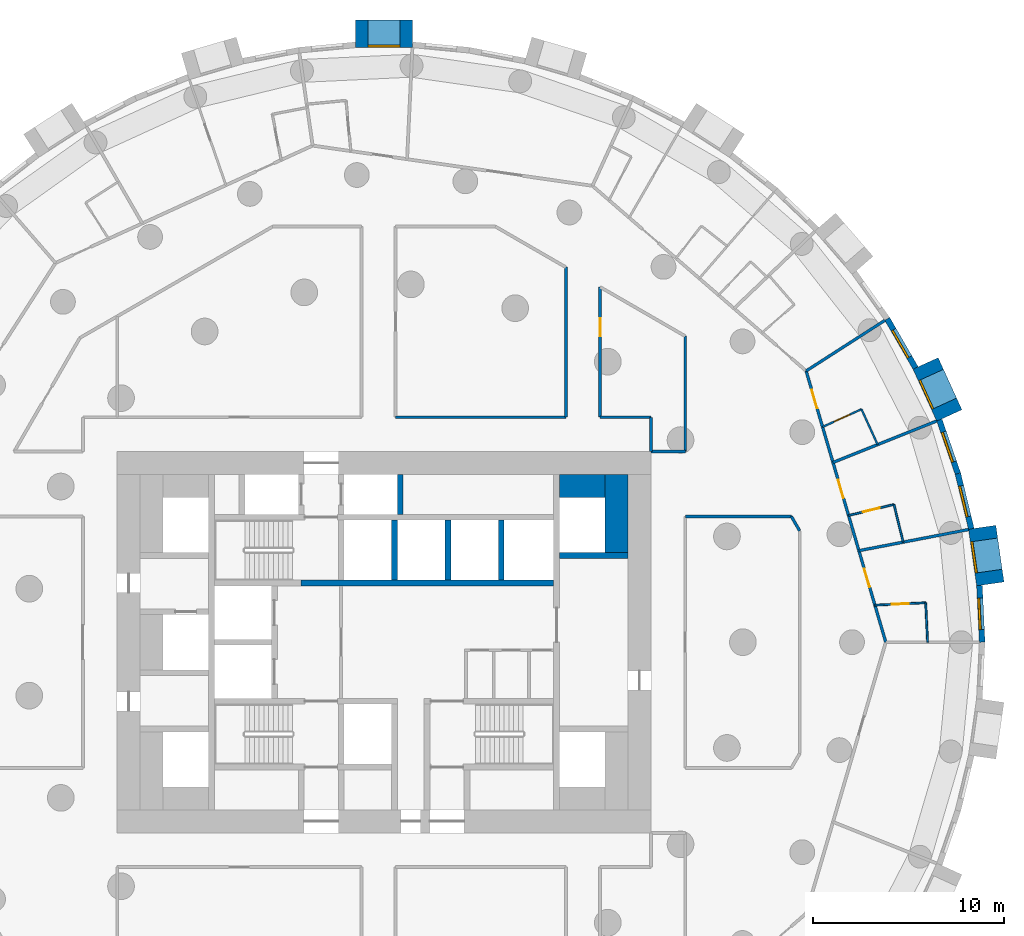
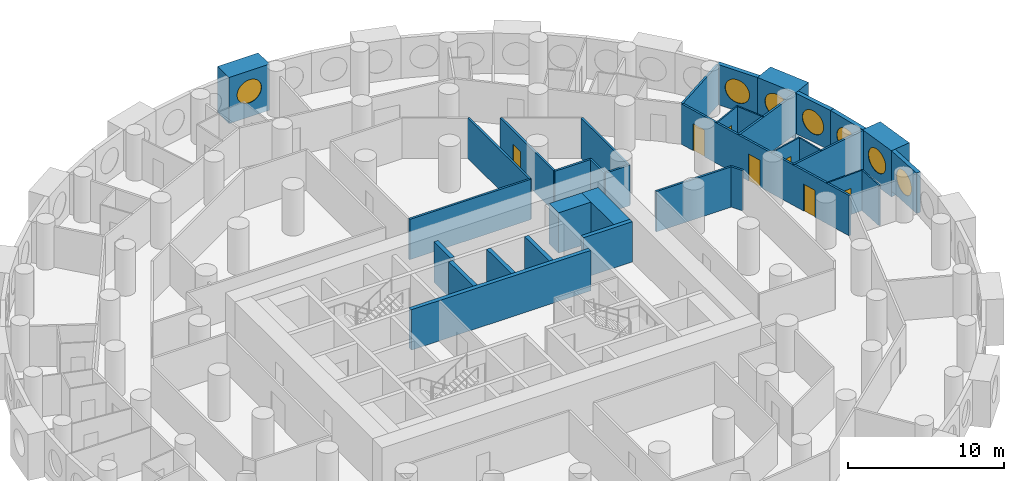
# One storey, part 9 of 12: 34 walls, 7 doors, 7 windows, 14 openings.
"""IFC4 building model written with IfcOpenShell, lengths in metres."""

from ifc_helpers import new_model, si_unit, direction, frame, frame_2d, origin, origin_2d, place, context, subcontext, project, spatial, rectangle, circle, extrude, material, layer, layer_set, type_object, element, fill, save


model = new_model("IFC4")

# Units and contexts
model_context = context("Model", 3, precision=1e-05, world=origin(), true_north=direction((0.0, 1.0)))
body_context = subcontext(model_context, "Body", "Model", "MODEL_VIEW")
ifc_project = project(units=[si_unit("LENGTHUNIT", "METRE"), si_unit("AREAUNIT", "SQUARE_METRE"), si_unit("VOLUMEUNIT", "CUBIC_METRE"), si_unit("PLANEANGLEUNIT", "RADIAN"), si_unit("MASSUNIT", "GRAM", prefix="KILO")], contexts=[model_context])

# Site, building, storey
site_placement = place(None, origin())
site = spatial("IfcSite", under=ifc_project, at=site_placement, CompositionType="ELEMENT")
building_placement = place(site_placement, origin())
building = spatial("IfcBuilding", under=site, at=building_placement, Name="Tracery Tower", CompositionType="ELEMENT")
storey_placement = place(building_placement, frame((0.0, 0.0, 107.39990234375)))
storey = spatial("IfcBuildingStorey", under=building, at=storey_placement, Name="L27", CompositionType="ELEMENT", Elevation=107.39990234375)

# Walls
ifc_material_1 = material(Name="Concrete C60/75", Category="concrete")
ifc_layer_1 = layer(ifc_material_1, 1.199951171875)
ifc_layer_set_1 = layer_set([ifc_layer_1], Name="Core strip wall 1200 C60")
wall_type_1 = type_object("IfcWallType", Name="Core strip wall 1200 C60", PredefinedType="SOLIDWALL", material=ifc_layer_set_1)
wall_1_placement = place(storey_placement, frame((12.199951171875, 4.699951171875, 0.0), z_axis=(0.0, 0.0, 1.0), x_axis=(0.0, 1.0, 0.0)))
element("IfcWall", 1, at=wall_1_placement, inside=storey, type_object=wall_type_1, Name="L27 wing strip +1 4.55", PredefinedType="SOLIDWALL", context=body_context, shape_type="SweptSolid", body=[
    extrude(rectangle(XDim=4.10009765625, YDim=1.199951171875, at=frame_2d((2.050048828125, 0.0))), origin(), (0.0, 0.0, 1.0), 3.150146484375),
])
wall_2_placement = place(storey_placement, frame((9.199951171875, 8.199951171875, 0.0), z_axis=(0.0, 0.0, 1.0), x_axis=(1.0, 0.0, 0.0)))
element("IfcWall", 2, at=wall_2_placement, inside=storey, type_object=wall_type_1, Name="L27 wing corner +1 +8.2", PredefinedType="SOLIDWALL", context=body_context, shape_type="SweptSolid", body=[
    extrude(rectangle(XDim=2.400146484375, YDim=1.199951171875, at=frame_2d((1.2001953125, 0.0))), origin(), (0.0, 0.0, 1.0), 3.150146484375),
])

# Wall, opening, window
ifc_material_2 = material(Name="Precast concrete C50/60", Category="concrete")
ifc_layer_2 = layer(ifc_material_2, 1.449951171875)
ifc_layer_set_2 = layer_set([ifc_layer_2], Name="Deep-set bay unit 3000 x 3600, slab edge 450")
wall_type_2 = type_object("IfcWallType", Name="Deep-set bay unit 3000 x 3600, slab edge 450", PredefinedType="ELEMENTEDWALL", material=ifc_layer_set_2)
wall_3_placement = place(storey_placement, frame((31.802490234375, 3.05712890625, -0.449951171875), z_axis=(0.0, 0.0, 1.0), x_axis=(-0.142332746704, 0.989818866872, 0.0)))
wall_3 = element("IfcWall", 3, at=wall_3_placement, inside=storey, type_object=wall_type_2, Name="Deep-set bay unit 2 at L27", PredefinedType="ELEMENTEDWALL", context=body_context, shape_type="SweptSolid", body=[
    extrude(rectangle(XDim=3.0, YDim=1.449951171875, at=frame_2d((1.5, 0.0))), origin(), (0.0, 0.0, 1.0), 3.60009765625),
])
opening_1_placement = place(wall_3_placement, frame((1.5, 0.0, 2.0)))
opening_1 = element("IfcOpeningElement", 4, at=opening_1_placement, cuts=wall_3, Name="Opening WN1", PredefinedType="OPENING", context=body_context, shape_type="SweptSolid", body=[
    extrude(circle(Radius=0.9000244140625, at=origin_2d()), frame((0.0, 0.73486328125, 0.0), z_axis=(0.0, -1.0, 0.0), x_axis=(1.0, 0.0, 0.0)), (0.0, 0.0, 1.0), 1.469970703125),
])
ifc_material_3 = material(Name="Aluminium frame with tinted double glazing", Category="aluminium")
window_type = type_object("IfcWindowType", Name="Round window 1800", PartitioningType="SINGLE_PANEL", PredefinedType="WINDOW", material=ifc_material_3)
window_1_placement = place(opening_1_placement, origin())
window_1 = element("IfcWindow", 5, at=window_1_placement, inside=storey, type_object=window_type, Name="Round window 2 at L27", OverallHeight=1.800048828125, OverallWidth=1.800048828125, PartitioningType="SINGLE_PANEL", PredefinedType="WINDOW", context=body_context, shape_type="SweptSolid", body=[
    extrude(circle(Radius=0.9000244140625, at=origin_2d()), frame((0.0, 0.69482421875, 0.0), z_axis=(0.0, -1.0, 0.0), x_axis=(1.0, 0.0, 0.0)), (0.0, 0.0, 1.0), 0.10009765625),
])
fill(opening_1, window_1)

wall_4_placement = place(storey_placement, frame((29.653076171875, 11.89306640625, -0.449951171875), z_axis=(0.0, 0.0, 1.0), x_axis=(-0.415427028395, 0.909626508012, 0.0)))
wall_4 = element("IfcWall", 6, at=wall_4_placement, inside=storey, type_object=wall_type_2, Name="Deep-set bay unit 5 at L27", PredefinedType="ELEMENTEDWALL", context=body_context, shape_type="SweptSolid", body=[
    extrude(rectangle(XDim=3.000244140625, YDim=1.449951171875, at=frame_2d((1.5, 0.0))), origin(), (0.0, 0.0, 1.0), 3.60009765625),
])
opening_2_placement = place(wall_4_placement, frame((1.5, 0.0, 2.0)))
opening_2 = element("IfcOpeningElement", 7, at=opening_2_placement, cuts=wall_4, Name="Opening WN1", PredefinedType="OPENING", context=body_context, shape_type="SweptSolid", body=[
    extrude(circle(Radius=0.9000244140625, at=origin_2d()), frame((0.0, 0.73486328125, 0.0), z_axis=(0.0, -1.0, 0.0), x_axis=(1.0, 0.0, 0.0)), (0.0, 0.0, 1.0), 1.469970703125),
])
window_2_placement = place(opening_2_placement, origin())
window_2 = element("IfcWindow", 8, at=window_2_placement, inside=storey, type_object=window_type, Name="Round window 5 at L27", OverallHeight=1.800048828125, OverallWidth=1.800048828125, PartitioningType="SINGLE_PANEL", PredefinedType="WINDOW", context=body_context, shape_type="SweptSolid", body=[
    extrude(circle(Radius=0.9000244140625, at=origin_2d()), frame((0.0, 0.69482421875, 0.0), z_axis=(0.0, -1.0, 0.0), x_axis=(1.0, 0.0, 0.0)), (0.0, 0.0, 1.0), 0.10009765625),
])
fill(opening_2, window_2)

wall_5_placement = place(storey_placement, frame((1.5, 31.913818359375, -0.449951171875), z_axis=(0.0, 0.0, 1.0), x_axis=(-1.0, 0.0, 0.0)))
wall_5 = element("IfcWall", 9, at=wall_5_placement, inside=storey, type_object=wall_type_2, Name="Deep-set bay unit 17 at L27", PredefinedType="ELEMENTEDWALL", context=body_context, shape_type="SweptSolid", body=[
    extrude(rectangle(XDim=3.0, YDim=1.449951171875, at=frame_2d((1.5, 0.0))), origin(), (0.0, 0.0, 1.0), 3.60009765625),
])
opening_3_placement = place(wall_5_placement, frame((1.5, 0.0, 2.0)))
opening_3 = element("IfcOpeningElement", 10, at=opening_3_placement, cuts=wall_5, Name="Opening WN1", PredefinedType="OPENING", context=body_context, shape_type="SweptSolid", body=[
    extrude(circle(Radius=0.9000244140625, at=origin_2d()), frame((0.0, 0.73486328125, 0.0), z_axis=(0.0, -1.0, 0.0), x_axis=(1.0, 0.0, 0.0)), (0.0, 0.0, 1.0), 1.469970703125),
])
window_3_placement = place(opening_3_placement, origin())
window_3 = element("IfcWindow", 11, at=window_3_placement, inside=storey, type_object=window_type, Name="Round window 17 at L27", OverallHeight=1.800048828125, OverallWidth=1.800048828125, PartitioningType="SINGLE_PANEL", PredefinedType="WINDOW", context=body_context, shape_type="SweptSolid", body=[
    extrude(circle(Radius=0.9000244140625, at=origin_2d()), frame((0.0, 0.69482421875, 0.0), z_axis=(0.0, -1.0, 0.0), x_axis=(1.0, 0.0, 0.0)), (0.0, 0.0, 1.0), 0.10009765625),
])
fill(opening_3, window_3)

ifc_material_4 = material(Name="Precast concrete C50/60", Category="concrete")
ifc_layer_3 = layer(ifc_material_4, 0.300048828125)
ifc_layer_set_3 = layer_set([ifc_layer_3], Name="Facade panel 3000 x 3150")
wall_type_3 = type_object("IfcWallType", Name="Facade panel 3000 x 3150", PredefinedType="SOLIDWALL", material=ifc_layer_set_3)
wall_6_placement = place(storey_placement, frame((31.37451171875, 0.0, 0.0), z_axis=(0.0, 0.0, 1.0), x_axis=(-0.047604077644, 0.998866283239, 0.0)))
wall_6 = element("IfcWall", 12, at=wall_6_placement, inside=storey, type_object=wall_type_3, Name="Facade panel 1 at L27", PredefinedType="SOLIDWALL", context=body_context, shape_type="SweptSolid", body=[
    extrude(rectangle(XDim=2.979736328125, YDim=0.300048828125, at=frame_2d((1.48974609375, 0.0))), origin(), (0.0, 0.0, 1.0), 3.150146484375),
])
opening_4_placement = place(wall_6_placement, frame((1.48974609375, 0.0, 1.5498046875)))
opening_4 = element("IfcOpeningElement", 13, at=opening_4_placement, cuts=wall_6, Name="Opening WN1", PredefinedType="OPENING", context=body_context, shape_type="SweptSolid", body=[
    extrude(circle(Radius=0.9000244140625, at=origin_2d()), frame((0.0, 0.159912109375, 0.0), z_axis=(0.0, -1.0, 0.0), x_axis=(1.0, 0.0, 0.0)), (0.0, 0.0, 1.0), 0.320068359375),
])
window_4_placement = place(opening_4_placement, origin())
window_4 = element("IfcWindow", 14, at=window_4_placement, inside=storey, type_object=window_type, Name="Round window 1 at L27", OverallHeight=1.800048828125, OverallWidth=1.800048828125, PartitioningType="SINGLE_PANEL", PredefinedType="WINDOW", context=body_context, shape_type="SweptSolid", body=[
    extrude(circle(Radius=0.9000244140625, at=origin_2d()), frame((0.0, 0.1201171875, 0.0), z_axis=(0.0, -1.0, 0.0), x_axis=(1.0, 0.0, 0.0)), (0.0, 0.0, 1.0), 0.10009765625),
])
fill(opening_4, window_4)

wall_7_placement = place(storey_placement, frame((30.805908203125, 5.943603515625, 0.0), z_axis=(0.0, 0.0, 1.0), x_axis=(-0.235743081534, 0.971815414319, 0.0)))
wall_7 = element("IfcWall", 15, at=wall_7_placement, inside=storey, type_object=wall_type_3, Name="Facade panel 3 at L27", PredefinedType="SOLIDWALL", context=body_context, shape_type="SweptSolid", body=[
    extrude(rectangle(XDim=2.9794921875, YDim=0.300048828125, at=frame_2d((1.48974609375, 0.0))), origin(), (0.0, 0.0, 1.0), 3.150146484375),
])
opening_5_placement = place(wall_7_placement, frame((1.48974609375, 0.0, 1.5498046875)))
opening_5 = element("IfcOpeningElement", 16, at=opening_5_placement, cuts=wall_7, Name="Opening WN1", PredefinedType="OPENING", context=body_context, shape_type="SweptSolid", body=[
    extrude(circle(Radius=0.9000244140625, at=origin_2d()), frame((0.0, 0.159912109375, 0.0), z_axis=(0.0, -1.0, 0.0), x_axis=(1.0, 0.0, 0.0)), (0.0, 0.0, 1.0), 0.320068359375),
])
window_5_placement = place(opening_5_placement, origin())
window_5 = element("IfcWindow", 17, at=window_5_placement, inside=storey, type_object=window_type, Name="Round window 3 at L27", OverallHeight=1.800048828125, OverallWidth=1.800048828125, PartitioningType="SINGLE_PANEL", PredefinedType="WINDOW", context=body_context, shape_type="SweptSolid", body=[
    extrude(circle(Radius=0.9000244140625, at=origin_2d()), frame((0.0, 0.1201171875, 0.0), z_axis=(0.0, -1.0, 0.0), x_axis=(1.0, 0.0, 0.0)), (0.0, 0.0, 1.0), 0.10009765625),
])
fill(opening_5, window_5)

wall_8_placement = place(storey_placement, frame((30.103515625, 8.839111328125, 0.0), z_axis=(0.0, 0.0, 1.0), x_axis=(-0.327071167136, 0.944999709856, 0.0)))
wall_8 = element("IfcWall", 18, at=wall_8_placement, inside=storey, type_object=wall_type_3, Name="Facade panel 4 at L27", PredefinedType="SOLIDWALL", context=body_context, shape_type="SweptSolid", body=[
    extrude(rectangle(XDim=2.979736328125, YDim=0.300048828125, at=frame_2d((1.48974609375, 0.0))), origin(), (0.0, 0.0, 1.0), 3.150146484375),
])
opening_6_placement = place(wall_8_placement, frame((1.48974609375, 0.0, 1.5498046875)))
opening_6 = element("IfcOpeningElement", 19, at=opening_6_placement, cuts=wall_8, Name="Opening WN1", PredefinedType="OPENING", context=body_context, shape_type="SweptSolid", body=[
    extrude(circle(Radius=0.9000244140625, at=origin_2d()), frame((0.0, 0.159912109375, 0.0), z_axis=(0.0, -1.0, 0.0), x_axis=(1.0, 0.0, 0.0)), (0.0, 0.0, 1.0), 0.320068359375),
])
window_6_placement = place(opening_6_placement, origin())
window_6 = element("IfcWindow", 20, at=window_6_placement, inside=storey, type_object=window_type, Name="Round window 4 at L27", OverallHeight=1.800048828125, OverallWidth=1.800048828125, PartitioningType="SINGLE_PANEL", PredefinedType="WINDOW", context=body_context, shape_type="SweptSolid", body=[
    extrude(circle(Radius=0.9000244140625, at=origin_2d()), frame((0.0, 0.1201171875, 0.0), z_axis=(0.0, -1.0, 0.0), x_axis=(1.0, 0.0, 0.0)), (0.0, 0.0, 1.0), 0.10009765625),
])
fill(opening_6, window_6)

wall_9_placement = place(storey_placement, frame((27.8837890625, 14.3818359375, 0.0), z_axis=(0.0, 0.0, 1.0), x_axis=(-0.500025049464, 0.866010940986, 0.0)))
wall_9 = element("IfcWall", 21, at=wall_9_placement, inside=storey, type_object=wall_type_3, Name="Facade panel 6 at L27", PredefinedType="SOLIDWALL", context=body_context, shape_type="SweptSolid", body=[
    extrude(rectangle(XDim=2.979736328125, YDim=0.300048828125, at=frame_2d((1.48974609375, 0.0))), origin(), (0.0, 0.0, 1.0), 3.150146484375),
])
opening_7_placement = place(wall_9_placement, frame((1.48974609375, 0.0, 1.5498046875)))
opening_7 = element("IfcOpeningElement", 22, at=opening_7_placement, cuts=wall_9, Name="Opening WN1", PredefinedType="OPENING", context=body_context, shape_type="SweptSolid", body=[
    extrude(circle(Radius=0.9000244140625, at=origin_2d()), frame((0.0, 0.159912109375, 0.0), z_axis=(0.0, -1.0, 0.0), x_axis=(1.0, 0.0, 0.0)), (0.0, 0.0, 1.0), 0.320068359375),
])
window_7_placement = place(opening_7_placement, origin())
window_7 = element("IfcWindow", 23, at=window_7_placement, inside=storey, type_object=window_type, Name="Round window 6 at L27", OverallHeight=1.800048828125, OverallWidth=1.800048828125, PartitioningType="SINGLE_PANEL", PredefinedType="WINDOW", context=body_context, shape_type="SweptSolid", body=[
    extrude(circle(Radius=0.9000244140625, at=origin_2d()), frame((0.0, 0.1201171875, 0.0), z_axis=(0.0, -1.0, 0.0), x_axis=(1.0, 0.0, 0.0)), (0.0, 0.0, 1.0), 0.10009765625),
])
fill(opening_7, window_7)

# Wall
ifc_material_5 = material(Name="Plasterboard on steel studs", Category="steel")
ifc_layer_4 = layer(ifc_material_5, 0.10009765625)
ifc_layer_set_4 = layer_set([ifc_layer_4], Name="Partition 100 wet wall")
wall_type_4 = type_object("IfcWallType", Name="Partition 100 wet wall", PredefinedType="PARTITIONING", material=ifc_layer_set_4)
wall_10_placement = place(storey_placement, frame((28.412109375, 2.069091796875, 0.0), z_axis=(0.0, 0.0, 1.0), x_axis=(0.047733138673, -0.998860124078, 0.0)))
element("IfcWall", 24, at=wall_10_placement, inside=storey, type_object=wall_type_4, Name="Wet wall RA8-060", PredefinedType="PARTITIONING", context=body_context, shape_type="SweptSolid", body=[
    extrude(rectangle(XDim=2.071533203125, YDim=0.10009765625, at=frame_2d((1.03564453125, 0.0))), origin(), (0.0, 0.0, 1.0), 3.150146484375),
])

# Wall, opening, door
wall_11_placement = place(storey_placement, frame((25.7490234375, 1.94189453125, 0.0), z_axis=(0.0, 0.0, 1.0), x_axis=(0.998861290624, 0.047708721344, 0.0)))
wall_11 = element("IfcWall", 25, at=wall_11_placement, inside=storey, type_object=wall_type_4, Name="Wet wall RA8-061", PredefinedType="PARTITIONING", context=body_context, shape_type="SweptSolid", body=[
    extrude(rectangle(XDim=2.666015625, YDim=0.10009765625, at=frame_2d((1.3330078125, 0.0))), origin(), (0.0, 0.0, 1.0), 3.150146484375),
])
opening_8_placement = place(wall_11_placement, frame((0.883056640625, 0.0, 0.0)))
opening_8 = element("IfcOpeningElement", 26, at=opening_8_placement, cuts=wall_11, Name="Opening RA8-10", PredefinedType="OPENING", context=body_context, shape_type="SweptSolid", body=[
    extrude(rectangle(XDim=0.89990234375, YDim=2.0400390625, at=frame_2d((0.449951171875, 1.02001953125))), frame((0.0, 0.050048828125, 0.0), z_axis=(0.0, -1.0, 0.0), x_axis=(1.0, 0.0, 0.0)), (0.0, 0.0, 1.0), 0.10009765625),
])
ifc_material_6 = material(Name="Timber door leaf", Category="wood")
door_type_1 = type_object("IfcDoorType", Name="Door en-suite 900", OperationType="NOTDEFINED", PredefinedType="DOOR", material=ifc_material_6)
door_1_placement = place(opening_8_placement, origin())
door_1 = element("IfcDoor", 27, at=door_1_placement, inside=storey, type_object=door_type_1, Name="En-suite door RA8-10", OperationType="SINGLE_SWING_LEFT", OverallHeight=2.0400390625, OverallWidth=0.89990234375, PredefinedType="DOOR", context=body_context, shape_type="SweptSolid", body=[
    extrude(rectangle(XDim=0.89990234375, YDim=2.0400390625, at=frame_2d((0.449951171875, 1.02001953125))), frame((0.0, 0.02490234375, 0.0), z_axis=(0.0, -1.0, 0.0), x_axis=(1.0, 0.0, 0.0)), (0.0, 0.0, 1.0), 0.050048828125),
])
fill(opening_8, door_1)

# Wall
wall_12_placement = place(storey_placement, frame((26.75, 7.22509765625, 0.0), z_axis=(0.0, 0.0, 1.0), x_axis=(0.23592286129, -0.97177178572, 0.0)))
element("IfcWall", 28, at=wall_12_placement, inside=storey, type_object=wall_type_4, Name="Wet wall RA8-064", PredefinedType="PARTITIONING", context=body_context, shape_type="SweptSolid", body=[
    extrude(rectangle(XDim=2.034423828125, YDim=0.10009765625, at=frame_2d((1.01708984375, 0.0))), origin(), (0.0, 0.0, 1.0), 3.150146484375),
])

# Wall, opening, door
wall_13_placement = place(storey_placement, frame((24.366943359375, 6.64599609375, 0.0), z_axis=(0.0, 0.0, 1.0), x_axis=(0.971720101056, 0.236135650006, 0.0)))
wall_13 = element("IfcWall", 29, at=wall_13_placement, inside=storey, type_object=wall_type_4, Name="Wet wall RA8-065", PredefinedType="PARTITIONING", context=body_context, shape_type="SweptSolid", body=[
    extrude(rectangle(XDim=2.452392578125, YDim=0.10009765625, at=frame_2d((1.22607421875, 0.0))), origin(), (0.0, 0.0, 1.0), 3.150146484375),
])
opening_9_placement = place(wall_13_placement, frame((0.7763671875, 0.0, 0.0)))
opening_9 = element("IfcOpeningElement", 30, at=opening_9_placement, cuts=wall_13, Name="Opening RA8-12", PredefinedType="OPENING", context=body_context, shape_type="SweptSolid", body=[
    extrude(rectangle(XDim=0.89990234375, YDim=2.0400390625, at=frame_2d((0.449951171875, 1.02001953125))), frame((0.0, 0.050048828125, 0.0), z_axis=(0.0, -1.0, 0.0), x_axis=(1.0, 0.0, 0.0)), (0.0, 0.0, 1.0), 0.10009765625),
])
door_2_placement = place(opening_9_placement, origin())
door_2 = element("IfcDoor", 31, at=door_2_placement, inside=storey, type_object=door_type_1, Name="En-suite door RA8-12", OperationType="SINGLE_SWING_LEFT", OverallHeight=2.0400390625, OverallWidth=0.89990234375, PredefinedType="DOOR", context=body_context, shape_type="SweptSolid", body=[
    extrude(rectangle(XDim=0.89990234375, YDim=2.0400390625, at=frame_2d((0.449951171875, 1.02001953125))), frame((0.0, 0.02490234375, 0.0), z_axis=(0.0, -1.0, 0.0), x_axis=(1.0, 0.0, 0.0)), (0.0, 0.0, 1.0), 0.050048828125),
])
fill(opening_9, door_2)

# Wall
wall_14_placement = place(storey_placement, frame((25.04296875, 12.221923828125, 0.0), z_axis=(0.0, 0.0, 1.0), x_axis=(0.41546015385, -0.909611378866, 0.0)))
element("IfcWall", 32, at=wall_14_placement, inside=storey, type_object=wall_type_4, Name="Wet wall RA8-067", PredefinedType="PARTITIONING", context=body_context, shape_type="SweptSolid", body=[
    extrude(rectangle(XDim=2.04150390625, YDim=0.10009765625, at=frame_2d((1.020751953125, 0.0))), origin(), (0.0, 0.0, 1.0), 3.150146484375),
])

# Wall, opening, door
wall_15_placement = place(storey_placement, frame((23.0029296875, 11.291015625, 0.0), z_axis=(0.0, 0.0, 1.0), x_axis=(0.90975773562, 0.41513956988, 0.0)))
wall_15 = element("IfcWall", 33, at=wall_15_placement, inside=storey, type_object=wall_type_4, Name="Wet wall RA8-068", PredefinedType="PARTITIONING", context=body_context, shape_type="SweptSolid", body=[
    extrude(rectangle(XDim=2.242431640625, YDim=0.10009765625, at=frame_2d((1.12109375, 0.0))), origin(), (0.0, 0.0, 1.0), 3.150146484375),
])
opening_10_placement = place(wall_15_placement, frame((0.67138671875, 0.0, 0.0)))
opening_10 = element("IfcOpeningElement", 34, at=opening_10_placement, cuts=wall_15, Name="Opening RA8-14", PredefinedType="OPENING", context=body_context, shape_type="SweptSolid", body=[
    extrude(rectangle(XDim=0.89990234375, YDim=2.0400390625, at=frame_2d((0.449951171875, 1.02001953125))), frame((0.0, 0.050048828125, 0.0), z_axis=(0.0, -1.0, 0.0), x_axis=(1.0, 0.0, 0.0)), (0.0, 0.0, 1.0), 0.10009765625),
])
door_3_placement = place(opening_10_placement, origin())
door_3 = element("IfcDoor", 35, at=door_3_placement, inside=storey, type_object=door_type_1, Name="En-suite door RA8-14", OperationType="SINGLE_SWING_LEFT", OverallHeight=2.0400390625, OverallWidth=0.89990234375, PredefinedType="DOOR", context=body_context, shape_type="SweptSolid", body=[
    extrude(rectangle(XDim=0.89990234375, YDim=2.0400390625, at=frame_2d((0.449951171875, 1.02001953125))), frame((0.0, 0.02490234375, 0.0), z_axis=(0.0, -1.0, 0.0), x_axis=(1.0, 0.0, 0.0)), (0.0, 0.0, 1.0), 0.050048828125),
])
fill(opening_10, door_3)

# Walls
ifc_material_7 = material(Name="Plasterboard on steel studs", Category="steel")
ifc_layer_5 = layer(ifc_material_7, 0.14990234375)
ifc_layer_set_5 = layer_set([ifc_layer_5], Name="Partition 150 acoustic unit wall")
wall_type_5 = type_object("IfcWallType", Name="Partition 150 acoustic unit wall", PredefinedType="PARTITIONING", material=ifc_layer_set_5)
wall_16_placement = place(storey_placement, frame((24.9091796875, 4.800048828125, 0.0), z_axis=(0.0, 0.0, 1.0), x_axis=(0.981912070464, 0.189337492, 0.0)))
element("IfcWall", 36, at=wall_16_placement, inside=storey, type_object=wall_type_5, Name="Unit wall RA8-062", PredefinedType="PARTITIONING", context=body_context, shape_type="SweptSolid", body=[
    extrude(rectangle(XDim=5.856689453125, YDim=0.14990234375, at=frame_2d((2.92822265625, 0.0))), origin(), (0.0, 0.0, 1.0), 3.150146484375),
])
wall_17_placement = place(storey_placement, frame((23.550048828125, 9.427978515625, 0.0), z_axis=(0.0, 0.0, 1.0), x_axis=(0.9283702981, 0.371656547911, 0.0)))
element("IfcWall", 37, at=wall_17_placement, inside=storey, type_object=wall_type_5, Name="Unit wall RA8-066", PredefinedType="PARTITIONING", context=body_context, shape_type="SweptSolid", body=[
    extrude(rectangle(XDim=5.857666015625, YDim=0.14990234375, at=frame_2d((2.9287109375, 0.0))), origin(), (0.0, 0.0, 1.0), 3.150146484375),
])
wall_18_placement = place(storey_placement, frame((22.14111328125, 14.22900390625, 0.0), z_axis=(0.0, 0.0, 1.0), x_axis=(0.841265781699, 0.540621757371, 0.0)))
element("IfcWall", 38, at=wall_18_placement, inside=storey, type_object=wall_type_5, Name="Unit wall RA8-069", PredefinedType="PARTITIONING", context=body_context, shape_type="SweptSolid", body=[
    extrude(rectangle(XDim=4.90576171875, YDim=0.14990234375, at=frame_2d((2.452880859375, 0.0))), origin(), (0.0, 0.0, 1.0), 3.150146484375),
])
ifc_material_8 = material(Name="Plasterboard on steel studs", Category="steel")
ifc_layer_6 = layer(ifc_material_8, 0.14990234375)
ifc_layer_set_6 = layer_set([ifc_layer_6], Name="Partition 150 corridor wall")
wall_type_6 = type_object("IfcWallType", Name="Partition 150 corridor wall", PredefinedType="PARTITIONING", material=ifc_layer_set_6)
wall_19_placement = place(storey_placement, frame((0.60400390625, 11.800048828125, 0.0), z_axis=(0.0, 0.0, 1.0), x_axis=(1.0, 0.0, 0.0)))
element("IfcWall", 39, at=wall_19_placement, inside=storey, type_object=wall_type_6, Name="Corridor wall RA8-002", PredefinedType="PARTITIONING", context=body_context, shape_type="SweptSolid", body=[
    extrude(rectangle(XDim=8.93603515625, YDim=0.14990234375, at=frame_2d((4.468017578125, 0.0))), origin(), (0.0, 0.0, 1.0), 3.150146484375),
])
wall_20_placement = place(storey_placement, frame((11.33203125, 11.800048828125, 0.0), z_axis=(0.0, 0.0, 1.0), x_axis=(1.0, 0.0, 0.0)))
element("IfcWall", 40, at=wall_20_placement, inside=storey, type_object=wall_type_6, Name="Corridor wall RA8-003", PredefinedType="PARTITIONING", context=body_context, shape_type="SweptSolid", body=[
    extrude(rectangle(XDim=2.66796875, YDim=0.14990234375, at=frame_2d((1.333984375, 0.0))), origin(), (0.0, 0.0, 1.0), 3.150146484375),
])
for number, where, z_axis, x_axis, name in (
    (41, (14.0, 10.0, 0.0), (0.0, 0.0, 1.0), (0.0, 1.0, 0.0), "Corridor wall RA8-004"),
    (42, (14.0, 10.0, 0.0), (0.0, 0.0, 1.0), (1.0, 0.0, 0.0), "Corridor wall RA8-010"),
):
    element("IfcWall", number, at=place(storey_placement, frame(where, z_axis=z_axis, x_axis=x_axis)), inside=storey, type_object=wall_type_6, Name=name, PredefinedType="PARTITIONING", context=body_context, shape_type="SweptSolid", body=[
        extrude(rectangle(XDim=1.800048828125, YDim=0.14990234375, at=frame_2d((0.89990234375, 0.0))), origin(), (0.0, 0.0, 1.0), 3.150146484375),
    ])
wall_21_placement = place(storey_placement, frame((15.800048828125, 9.99609375, 0.0), z_axis=(0.0, 0.0, 1.0), x_axis=(0.0, 1.0, 0.0)))
element("IfcWall", 43, at=wall_21_placement, inside=storey, type_object=wall_type_6, Name="Corridor wall RA8-014", PredefinedType="PARTITIONING", context=body_context, shape_type="SweptSolid", body=[
    extrude(rectangle(XDim=6.056884765625, YDim=0.14990234375, at=frame_2d((3.0283203125, 0.0))), origin(), (0.0, 0.0, 1.0), 3.150146484375),
])
wall_22_placement = place(storey_placement, frame((21.364013671875, 6.60009765625, 0.0), z_axis=(0.0, 0.0, 1.0), x_axis=(0.500277597875, -0.865865073245, 0.0)))
element("IfcWall", 44, at=wall_22_placement, inside=storey, type_object=wall_type_6, Name="Corridor wall RA8-019", PredefinedType="PARTITIONING", context=body_context, shape_type="SweptSolid", body=[
    extrude(rectangle(XDim=0.87548828125, YDim=0.14990234375, at=frame_2d((0.437744140625, 0.0))), origin(), (0.0, 0.0, 1.0), 3.150146484375),
])
wall_23_placement = place(storey_placement, frame((15.800048828125, 6.60009765625, 0.0), z_axis=(0.0, 0.0, 1.0), x_axis=(1.0, 0.0, 0.0)))
element("IfcWall", 45, at=wall_23_placement, inside=storey, type_object=wall_type_6, Name="Corridor wall RA8-020", PredefinedType="PARTITIONING", context=body_context, shape_type="SweptSolid", body=[
    extrude(rectangle(XDim=5.56396484375, YDim=0.14990234375, at=frame_2d((2.781982421875, 0.0))), origin(), (0.0, 0.0, 1.0), 3.150146484375),
])

# Wall, openings, doors
wall_24_placement = place(storey_placement, frame((22.140380859375, 14.228759765625, 0.0), z_axis=(0.0, 0.0, 1.0), x_axis=(0.281780364869, -0.959478934617, 0.0)))
wall_24 = element("IfcWall", 46, at=wall_24_placement, inside=storey, type_object=wall_type_6, Name="Corridor wall RA8-021", PredefinedType="PARTITIONING", context=body_context, shape_type="SweptSolid", body=[
    extrude(rectangle(XDim=14.82958984375, YDim=0.14990234375, at=frame_2d((7.414794921875, 0.0))), origin(), (0.0, 0.0, 1.0), 3.150146484375),
])
opening_11_placement = place(wall_24_placement, frame((10.81591796875, 0.0, 0.0)))
opening_11 = element("IfcOpeningElement", 47, at=opening_11_placement, cuts=wall_24, Name="Opening RA8-11", PredefinedType="OPENING", context=body_context, shape_type="SweptSolid", body=[
    extrude(rectangle(XDim=1.0, YDim=2.10009765625, at=frame_2d((0.5, 1.050048828125))), frame((0.0, 0.074951171875, 0.0), z_axis=(0.0, -1.0, 0.0), x_axis=(1.0, 0.0, 0.0)), (0.0, 0.0, 1.0), 0.14990234375),
])
opening_12_placement = place(wall_24_placement, frame((5.953369140625, 0.0, 0.0)))
opening_12 = element("IfcOpeningElement", 48, at=opening_12_placement, cuts=wall_24, Name="Opening RA8-13", PredefinedType="OPENING", context=body_context, shape_type="SweptSolid", body=[
    extrude(rectangle(XDim=1.0, YDim=2.10009765625, at=frame_2d((0.5, 1.050048828125))), frame((0.0, 0.074951171875, 0.0), z_axis=(0.0, -1.0, 0.0), x_axis=(1.0, 0.0, 0.0)), (0.0, 0.0, 1.0), 0.14990234375),
])
opening_13_placement = place(wall_24_placement, frame((1.032958984375, 0.0, 0.0)))
opening_13 = element("IfcOpeningElement", 49, at=opening_13_placement, cuts=wall_24, Name="Opening RA8-15", PredefinedType="OPENING", context=body_context, shape_type="SweptSolid", body=[
    extrude(rectangle(XDim=1.0, YDim=2.10009765625, at=frame_2d((0.5, 1.050048828125))), frame((0.0, 0.074951171875, 0.0), z_axis=(0.0, -1.0, 0.0), x_axis=(1.0, 0.0, 0.0)), (0.0, 0.0, 1.0), 0.14990234375),
])
ifc_material_9 = material(Name="Timber door leaf", Category="wood")
door_type_2 = type_object("IfcDoorType", Name="Door unit entrance 1000", OperationType="NOTDEFINED", PredefinedType="DOOR", material=ifc_material_9)
door_4_placement = place(opening_11_placement, origin())
door_4 = element("IfcDoor", 50, at=door_4_placement, inside=storey, type_object=door_type_2, Name="Unit entrance door RA8-11", OperationType="SINGLE_SWING_LEFT", OverallHeight=2.10009765625, OverallWidth=1.0, PredefinedType="DOOR", context=body_context, shape_type="SweptSolid", body=[
    extrude(rectangle(XDim=1.0, YDim=2.10009765625, at=frame_2d((0.5, 1.050048828125))), frame((0.0, 0.02490234375, 0.0), z_axis=(0.0, -1.0, 0.0), x_axis=(1.0, 0.0, 0.0)), (0.0, 0.0, 1.0), 0.050048828125),
])
fill(opening_11, door_4)
door_5_placement = place(opening_12_placement, origin())
door_5 = element("IfcDoor", 51, at=door_5_placement, inside=storey, type_object=door_type_2, Name="Unit entrance door RA8-13", OperationType="SINGLE_SWING_LEFT", OverallHeight=2.10009765625, OverallWidth=1.0, PredefinedType="DOOR", context=body_context, shape_type="SweptSolid", body=[
    extrude(rectangle(XDim=1.0, YDim=2.10009765625, at=frame_2d((0.5, 1.050048828125))), frame((0.0, 0.02490234375, 0.0), z_axis=(0.0, -1.0, 0.0), x_axis=(1.0, 0.0, 0.0)), (0.0, 0.0, 1.0), 0.050048828125),
])
fill(opening_12, door_5)
door_6_placement = place(opening_13_placement, origin())
door_6 = element("IfcDoor", 52, at=door_6_placement, inside=storey, type_object=door_type_2, Name="Unit entrance door RA8-15", OperationType="SINGLE_SWING_LEFT", OverallHeight=2.10009765625, OverallWidth=1.0, PredefinedType="DOOR", context=body_context, shape_type="SweptSolid", body=[
    extrude(rectangle(XDim=1.0, YDim=2.10009765625, at=frame_2d((0.5, 1.050048828125))), frame((0.0, 0.02490234375, 0.0), z_axis=(0.0, -1.0, 0.0), x_axis=(1.0, 0.0, 0.0)), (0.0, 0.0, 1.0), 0.050048828125),
])
fill(opening_13, door_6)

# Wall
wall_25_placement = place(storey_placement, frame((9.535888671875, 11.800048828125, 0.0), z_axis=(0.0, 0.0, 1.0), x_axis=(0.0, 1.0, 0.0)))
element("IfcWall", 53, at=wall_25_placement, inside=storey, type_object=wall_type_6, Name="Corridor wall RA8-028", PredefinedType="PARTITIONING", context=body_context, shape_type="SweptSolid", body=[
    extrude(rectangle(XDim=7.868896484375, YDim=0.14990234375, at=frame_2d((3.9345703125, 0.0))), origin(), (0.0, 0.0, 1.0), 3.150146484375),
])

# Wall, opening, door
wall_26_placement = place(storey_placement, frame((11.3359375, 11.800048828125, 0.0), z_axis=(0.0, 0.0, 1.0), x_axis=(0.0, 1.0, 0.0)))
wall_26 = element("IfcWall", 54, at=wall_26_placement, inside=storey, type_object=wall_type_6, Name="Corridor wall RA8-033", PredefinedType="PARTITIONING", context=body_context, shape_type="SweptSolid", body=[
    extrude(rectangle(XDim=6.829833984375, YDim=0.14990234375, at=frame_2d((3.4150390625, 0.0))), origin(), (0.0, 0.0, 1.0), 3.150146484375),
])
opening_14_placement = place(wall_26_placement, frame((4.239990234375, 0.0, 0.0)))
opening_14 = element("IfcOpeningElement", 55, at=opening_14_placement, cuts=wall_26, Name="Opening RA8-03", PredefinedType="OPENING", context=body_context, shape_type="SweptSolid", body=[
    extrude(rectangle(XDim=0.949951171875, YDim=2.10009765625, at=frame_2d((0.47509765625, 1.050048828125))), frame((0.0, 0.074951171875, 0.0), z_axis=(0.0, -1.0, 0.0), x_axis=(1.0, 0.0, 0.0)), (0.0, 0.0, 1.0), 0.14990234375),
])
ifc_material_10 = material(Name="Timber door leaf", Category="wood")
door_type_3 = type_object("IfcDoorType", Name="Door store 950", OperationType="NOTDEFINED", PredefinedType="DOOR", material=ifc_material_10)
door_7_placement = place(opening_14_placement, origin())
door_7 = element("IfcDoor", 56, at=door_7_placement, inside=storey, type_object=door_type_3, Name="Store door RA8-03", OperationType="SINGLE_SWING_LEFT", OverallHeight=2.10009765625, OverallWidth=0.949951171875, PredefinedType="DOOR", context=body_context, shape_type="SweptSolid", body=[
    extrude(rectangle(XDim=0.949951171875, YDim=2.10009765625, at=frame_2d((0.47509765625, 1.050048828125))), frame((0.0, 0.02490234375, 0.0), z_axis=(0.0, -1.0, 0.0), x_axis=(1.0, 0.0, 0.0)), (0.0, 0.0, 1.0), 0.050048828125),
])
fill(opening_14, door_7)

# Walls
ifc_material_11 = material(Name="Concrete C60/75", Category="concrete")
ifc_layer_7 = layer(ifc_material_11, 0.300048828125)
ifc_layer_set_7 = layer_set([ifc_layer_7], Name="Shaft wall 300 C60")
wall_type_7 = type_object("IfcWallType", Name="Shaft wall 300 C60", PredefinedType="SOLIDWALL", material=ifc_layer_set_7)
for number, where, z_axis, x_axis, name in (
    (57, (0.550048828125, 3.25, 0.0), (0.0, 0.0, 1.0), (0.0, 1.0, 0.0), "L27 HR sep 1"),
    (58, (3.35009765625, 3.25, 0.0), (0.0, 0.0, 1.0), (0.0, 1.0, 0.0), "L27 HR sep 2"),
    (59, (6.14990234375, 3.25, 0.0), (0.0, 0.0, 1.0), (0.0, 1.0, 0.0), "L27 HR sep 3"),
):
    element("IfcWall", number, at=place(storey_placement, frame(where, z_axis=z_axis, x_axis=x_axis)), inside=storey, type_object=wall_type_7, Name=name, PredefinedType="SOLIDWALL", context=body_context, shape_type="SweptSolid", body=[
        extrude(rectangle(XDim=3.14990234375, YDim=0.300048828125, at=frame_2d((1.574951171875, 0.0))), origin(), (0.0, 0.0, 1.0), 3.150146484375),
    ])
wall_27_placement = place(storey_placement, frame((0.85009765625, 6.699951171875, 0.0), z_axis=(0.0, 0.0, 1.0), x_axis=(0.0, 1.0, 0.0)))
element("IfcWall", 60, at=wall_27_placement, inside=storey, type_object=wall_type_7, Name="L27 LR sep 0.85", PredefinedType="SOLIDWALL", context=body_context, shape_type="SweptSolid", body=[
    extrude(rectangle(XDim=2.10009765625, YDim=0.300048828125, at=frame_2d((1.050048828125, 0.0))), origin(), (0.0, 0.0, 1.0), 3.150146484375),
])
wall_28_placement = place(storey_placement, frame((9.199951171875, 4.550048828125, 0.0), z_axis=(0.0, 0.0, 1.0), x_axis=(1.0, 0.0, 0.0)))
element("IfcWall", 61, at=wall_28_placement, inside=storey, type_object=wall_type_7, Name="L27 wing shaft wall +1 +4.55", PredefinedType="SOLIDWALL", context=body_context, shape_type="SweptSolid", body=[
    extrude(rectangle(XDim=3.60009765625, YDim=0.300048828125, at=frame_2d((1.800048828125, 0.0))), origin(), (0.0, 0.0, 1.0), 3.150146484375),
])
ifc_material_12 = material(Name="Concrete C60/75", Category="concrete")
ifc_layer_8 = layer(ifc_material_12, 0.300048828125)
ifc_layer_set_8 = layer_set([ifc_layer_8], Name="Stair wall 300 C60")
wall_type_8 = type_object("IfcWallType", Name="Stair wall 300 C60", PredefinedType="SOLIDWALL", material=ifc_layer_set_8)
wall_29_placement = place(storey_placement, frame((-4.35009765625, 3.10009765625, 0.0), z_axis=(0.0, 0.0, 1.0), x_axis=(1.0, 0.0, 0.0)))
element("IfcWall", 62, at=wall_29_placement, inside=storey, type_object=wall_type_8, Name="L27 row N", PredefinedType="SOLIDWALL", context=body_context, shape_type="SweptSolid", body=[
    extrude(rectangle(XDim=13.25, YDim=0.300048828125, at=frame_2d((6.625, 0.0))), origin(), (0.0, 0.0, 1.0), 3.150146484375),
])

save(model, "model.ifc")
